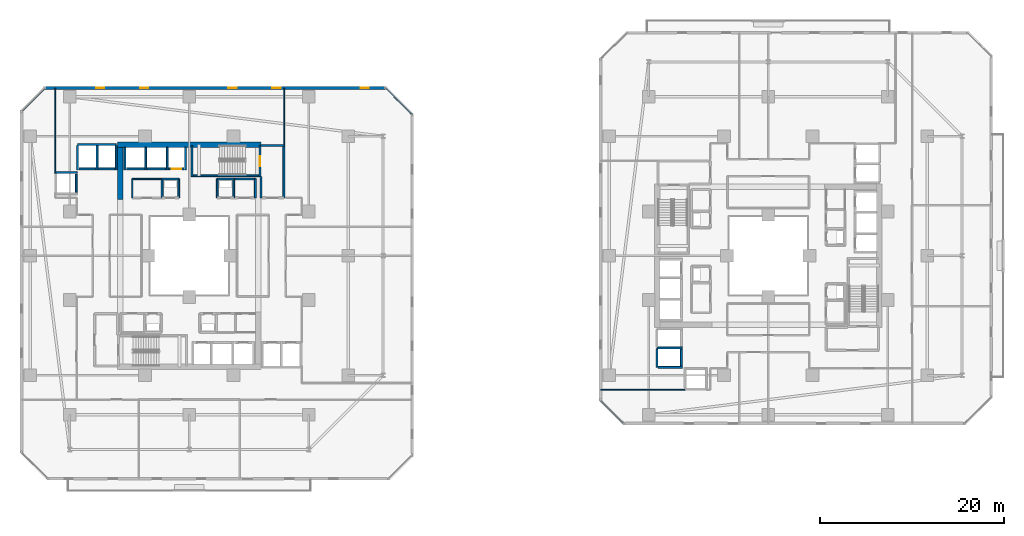
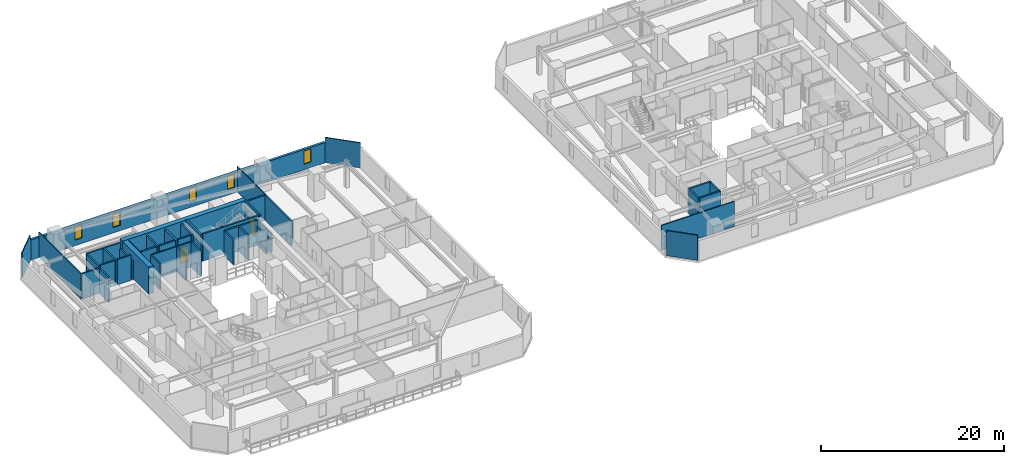
# One storey, part 24 of 35: 44 walls, 5 windows, 2 doors, 7 openings.
"""IFC4 building model written with IfcOpenShell, lengths in metres."""

from ifc_helpers import new_model, si_unit, direction, frame, frame_2d, origin, place, context, subcontext, project, spatial, rectangle, extrude, material, layer, layer_set, type_object, element, fill, save


model = new_model("IFC4")

# Units and contexts
model_context = context("Model", 3, precision=1e-05, world=origin(), true_north=direction((0.0, 1.0)))
body_context = subcontext(model_context, "Body", "Model", "MODEL_VIEW")
ifc_project = project(units=[si_unit("LENGTHUNIT", "METRE"), si_unit("AREAUNIT", "SQUARE_METRE"), si_unit("VOLUMEUNIT", "CUBIC_METRE"), si_unit("PLANEANGLEUNIT", "RADIAN"), si_unit("MASSUNIT", "GRAM", prefix="KILO")], contexts=[model_context])

# Site, building, storey
site_placement = place(None, origin())
site = spatial("IfcSite", under=ifc_project, at=site_placement, CompositionType="ELEMENT")
building_placement = place(site_placement, origin())
building = spatial("IfcBuilding", under=site, at=building_placement, Name="Thornwick Lancets Civic Towers", CompositionType="ELEMENT")
storey_placement = place(building_placement, frame((0.0, 0.0, 64.5)))
storey = spatial("IfcBuildingStorey", under=building, at=storey_placement, Name="L16", CompositionType="ELEMENT", Elevation=64.5)

# Wall, opening, door
ifc_material_1 = material(Name="Concrete blockwork C40/50", Category="masonry")
ifc_layer_1 = layer(ifc_material_1, 0.199951171875, Name="Concrete blockwork C40/50")
ifc_layer_set_1 = layer_set([ifc_layer_1], Name="Concrete blockwork C40/50")
wall_type_1 = type_object("IfcWallType", Name="WALL_COMP_200", PredefinedType="STANDARD", material=ifc_layer_set_1)
wall_1_placement = place(storey_placement, frame((24.919921875, 36.449951171875, 0.0), z_axis=(0.0, 0.0, 1.0), x_axis=(-1.0, 0.0, 0.0)))
wall_1 = element("IfcWall", 1, at=wall_1_placement, inside=storey, type_object=wall_type_1, Name="L16 Hoistway Front Wall FL-A2", PredefinedType="STANDARD", context=body_context, shape_type="SweptSolid", body=[
    extrude(rectangle(XDim=1.639892578125, YDim=0.199951171875, at=frame_2d((0.81982421875, 0.0))), origin(), (0.0, 0.0, 1.0), 3.340087890625),
])
opening_1_placement = place(wall_1_placement, frame((0.31005859375, 0.0, 0.0)))
opening_1 = element("IfcOpeningElement", 2, at=opening_1_placement, cuts=wall_1, Name="Opening LD-FL-A2", PredefinedType="OPENING", context=body_context, shape_type="SweptSolid", body=[
    extrude(rectangle(XDim=1.02001953125, YDim=2.06005859375, at=frame_2d((0.510009765625, 1.030029296875))), frame((0.0, 0.10986328125, 0.0), z_axis=(0.0, -1.0, 0.0), x_axis=(1.0, 0.0, 0.0)), (0.0, 0.0, 1.0), 0.219970703125),
])
ifc_material_2 = material(Name="Brushed bronze stainless steel", Category="steel")
door_type_1 = type_object("IfcDoorType", Name="DOOR_LIFT_SLIDE", OperationType="SLIDING_TO_LEFT", PredefinedType="DOOR", material=ifc_material_2)
door_1_placement = place(opening_1_placement, origin())
door_1 = element("IfcDoor", 3, at=door_1_placement, inside=storey, type_object=door_type_1, Name="L16 Sliding Lift Landing Door LD-FL-A2", OperationType="SLIDING_TO_LEFT", OverallHeight=2.06005859375, OverallWidth=1.02001953125, PredefinedType="DOOR", context=body_context, shape_type="SweptSolid", body=[
    extrude(rectangle(XDim=1.02001953125, YDim=2.06005859375, at=frame_2d((0.510009765625, 1.030029296875))), frame((0.0, 0.02490234375, 0.0), z_axis=(0.0, -1.0, 0.0), x_axis=(1.0, 0.0, 0.0)), (0.0, 0.0, 1.0), 0.050048828125),
])
fill(opening_1, door_1)

# Walls
wall_2_placement = place(storey_placement, frame((22.919921875, 36.449951171875, 0.0), z_axis=(0.0, 0.0, 1.0), x_axis=(-1.0, 0.0, 0.0)))
element("IfcWall", 4, at=wall_2_placement, inside=storey, type_object=wall_type_1, Name="L16 Hoistway Front Wall PL-AH2", PredefinedType="STANDARD", context=body_context, shape_type="SweptSolid", body=[
    extrude(rectangle(XDim=1.989990234375, YDim=0.199951171875, at=frame_2d((0.9951171875, 0.0))), origin(), (0.0, 0.0, 1.0), 3.340087890625),
])
wall_3_placement = place(storey_placement, frame((20.6201171875, 36.449951171875, 0.0), z_axis=(0.0, 0.0, 1.0), x_axis=(-1.0, 0.0, 0.0)))
element("IfcWall", 5, at=wall_3_placement, inside=storey, type_object=wall_type_1, Name="L16 Hoistway Front Wall PL-AH3", PredefinedType="STANDARD", context=body_context, shape_type="SweptSolid", body=[
    extrude(rectangle(XDim=1.940185546875, YDim=0.199951171875, at=frame_2d((0.97021484375, 0.0))), origin(), (0.0, 0.0, 1.0), 3.340087890625),
])
wall_4_placement = place(storey_placement, frame((17.3701171875, 36.449951171875, 0.0), z_axis=(0.0, 0.0, 1.0), x_axis=(-1.0, 0.0, 0.0)))
element("IfcWall", 6, at=wall_4_placement, inside=storey, type_object=wall_type_1, Name="L16 Hoistway Front Wall PL-AM1", PredefinedType="STANDARD", context=body_context, shape_type="SweptSolid", body=[
    extrude(rectangle(XDim=1.740234375, YDim=0.199951171875, at=frame_2d((0.8701171875, 0.0))), origin(), (0.0, 0.0, 1.0), 3.340087890625),
])
for number, where, z_axis, x_axis, name in (
    (7, (15.320068359375, 36.449951171875, 0.0), (0.0, 0.0, 1.0), (-1.0, 0.0, 0.0), "L16 Hoistway Front Wall PL-AM2"),
    (8, (79.050048828125, 15.030029296875, 0.0), (0.0, 0.0, 1.0), (0.0, 1.0, 0.0), "L16 Hoistway Front Wall PL-BM2"),
):
    element("IfcWall", number, at=place(storey_placement, frame(where, z_axis=z_axis, x_axis=x_axis)), inside=storey, type_object=wall_type_1, Name=name, PredefinedType="STANDARD", context=body_context, shape_type="SweptSolid", body=[
        extrude(rectangle(XDim=1.7900390625, YDim=0.199951171875, at=frame_2d((0.89501953125, 0.0))), origin(), (0.0, 0.0, 1.0), 3.340087890625),
    ])
wall_5_placement = place(storey_placement, frame((13.199951171875, 33.929931640625, 0.0), z_axis=(0.0, 0.0, 1.0), x_axis=(0.0, 1.0, 0.0)))
element("IfcWall", 9, at=wall_5_placement, inside=storey, type_object=wall_type_1, Name="L16 Hoistway Front Wall PL-AM3", PredefinedType="STANDARD", context=body_context, shape_type="SweptSolid", body=[
    extrude(rectangle(XDim=1.940185546875, YDim=0.199951171875, at=frame_2d((0.97021484375, 0.0))), origin(), (0.0, 0.0, 1.0), 3.340087890625),
])
for number, where, z_axis, x_axis, name in (
    (10, (25.10009765625, 36.35205078125, 0.0), (0.0, 0.0, 1.0), (0.0, 1.0, 0.0), "L16 Hoistway Shaft Wall FL-A2 E"),
    (11, (23.10009765625, 36.35205078125, 0.0), (0.0, 0.0, 1.0), (0.0, 1.0, 0.0), "L16 Hoistway Shaft Wall FL-A2 W"),
    (12, (20.77490234375, 36.35205078125, 0.0), (0.0, 0.0, 1.0), (0.0, 1.0, 0.0), "L16 Hoistway Shaft Wall PL-AH2 W"),
    (13, (18.5, 36.35205078125, 0.0), (0.0, 0.0, 1.0), (0.0, 1.0, 0.0), "L16 Hoistway Shaft Wall PL-AH3 W"),
):
    element("IfcWall", number, at=place(storey_placement, frame(where, z_axis=z_axis, x_axis=x_axis)), inside=storey, type_object=wall_type_1, Name=name, PredefinedType="STANDARD", context=body_context, shape_type="SweptSolid", body=[
        extrude(rectangle(XDim=2.43603515625, YDim=0.199951171875, at=frame_2d((1.218017578125, 0.0))), origin(), (0.0, 0.0, 1.0), 3.340087890625),
    ])
wall_6_placement = place(storey_placement, frame((13.35205078125, 39.10009765625, 0.0), z_axis=(0.0, 0.0, 1.0), x_axis=(1.0, 0.0, 0.0)))
element("IfcWall", 14, at=wall_6_placement, inside=storey, type_object=wall_type_1, Name="L16 Hoistway Shaft Wall PL-AM1 N", PredefinedType="STANDARD", context=body_context, shape_type="SweptSolid", body=[
    extrude(rectangle(XDim=4.196044921875, YDim=0.199951171875, at=frame_2d((2.09814453125, 0.0))), origin(), (0.0, 0.0, 1.0), 3.340087890625),
])
wall_7_placement = place(storey_placement, frame((17.550048828125, 36.35205078125, 0.0), z_axis=(0.0, 0.0, 1.0), x_axis=(0.0, 1.0, 0.0)))
element("IfcWall", 15, at=wall_7_placement, inside=storey, type_object=wall_type_1, Name="L16 Hoistway Shaft Wall PL-AM1 E", PredefinedType="STANDARD", context=body_context, shape_type="SweptSolid", body=[
    extrude(rectangle(XDim=2.635986328125, YDim=0.199951171875, at=frame_2d((1.31787109375, 0.0))), origin(), (0.0, 0.0, 1.0), 2.544921875),
])
wall_8_placement = place(storey_placement, frame((15.47509765625, 36.35205078125, 0.0), z_axis=(0.0, 0.0, 1.0), x_axis=(0.0, 1.0, 0.0)))
element("IfcWall", 16, at=wall_8_placement, inside=storey, type_object=wall_type_1, Name="L16 Hoistway Shaft Wall PL-AM1 W", PredefinedType="STANDARD", context=body_context, shape_type="SweptSolid", body=[
    extrude(rectangle(XDim=2.635986328125, YDim=0.199951171875, at=frame_2d((1.31787109375, 0.0))), origin(), (0.0, 0.0, 1.0), 3.340087890625),
])
wall_9_placement = place(storey_placement, frame((76.402099609375, 16.97509765625, 0.0), z_axis=(0.0, 0.0, 1.0), x_axis=(1.0, 0.0, 0.0)))
element("IfcWall", 17, at=wall_9_placement, inside=storey, type_object=wall_type_1, Name="L16 Hoistway Shaft Wall PL-BM1 S", PredefinedType="STANDARD", context=body_context, shape_type="SweptSolid", body=[
    extrude(rectangle(XDim=2.745849609375, YDim=0.199951171875, at=frame_2d((1.373046875, 0.0))), origin(), (0.0, 0.0, 1.0), 3.340087890625),
])
wall_10_placement = place(storey_placement, frame((76.39990234375, 14.85205078125, 0.0), z_axis=(0.0, 0.0, 1.0), x_axis=(0.0, 1.0, 0.0)))
element("IfcWall", 18, at=wall_10_placement, inside=storey, type_object=wall_type_1, Name="L16 Hoistway Shaft Wall PL-BM1 W", PredefinedType="STANDARD", context=body_context, shape_type="SweptSolid", body=[
    extrude(rectangle(XDim=2.015869140625, YDim=0.199951171875, at=frame_2d((1.0078125, 0.0))), origin(), (0.0, 0.0, 1.0), 3.340087890625),
])
for number, where, z_axis, x_axis, name in (
    (19, (13.35009765625, 36.35205078125, 0.0), (0.0, 0.0, 1.0), (0.0, 1.0, 0.0), "L16 Hoistway Shaft Wall PL-AM2 W"),
    (20, (76.511962890625, 14.85009765625, 0.0), (0.0, 0.0, 1.0), (1.0, 0.0, 0.0), "L16 Hoistway Shaft Wall PL-BM2 S"),
):
    element("IfcWall", number, at=place(storey_placement, frame(where, z_axis=z_axis, x_axis=x_axis)), inside=storey, type_object=wall_type_1, Name=name, PredefinedType="STANDARD", context=body_context, shape_type="SweptSolid", body=[
        extrude(rectangle(XDim=2.635986328125, YDim=0.199951171875, at=frame_2d((1.31787109375, 0.0))), origin(), (0.0, 0.0, 1.0), 3.340087890625),
    ])
wall_11_placement = place(storey_placement, frame((11.001953125, 36.050048828125, 0.0), z_axis=(0.0, 0.0, 1.0), x_axis=(1.0, 0.0, 0.0)))
element("IfcWall", 21, at=wall_11_placement, inside=storey, type_object=wall_type_1, Name="L16 Hoistway Shaft Wall PL-AM3 N", PredefinedType="STANDARD", context=body_context, shape_type="SweptSolid", body=[
    extrude(rectangle(XDim=2.296142578125, YDim=0.199951171875, at=frame_2d((1.14794921875, 0.0))), origin(), (0.0, 0.0, 1.0), 3.340087890625),
])
wall_12_placement = place(storey_placement, frame((35.800048828125, 33.300048828125, 0.0), z_axis=(0.0, 0.0, 1.0), x_axis=(0.0, 1.0, 0.0)))
element("IfcWall", 22, at=wall_12_placement, inside=storey, type_object=wall_type_1, Name="L16 Partition L16-A-FFLOB2 E2", PredefinedType="STANDARD", context=body_context, shape_type="SweptSolid", body=[
    extrude(rectangle(XDim=5.699951171875, YDim=0.199951171875, at=frame_2d((2.85009765625, 0.0))), origin(), (0.0, 0.0, 1.0), 3.340087890625),
])
wall_13_placement = place(storey_placement, frame((35.800048828125, 39.0, 0.0), z_axis=(0.0, 0.0, 1.0), x_axis=(-1.0, 0.0, 0.0)))
element("IfcWall", 23, at=wall_13_placement, inside=storey, type_object=wall_type_1, Name="L16 Partition L16-A-FFLOB2 E3", PredefinedType="STANDARD", context=body_context, shape_type="SweptSolid", body=[
    extrude(rectangle(XDim=2.5, YDim=0.199951171875, at=frame_2d((1.25, 0.0))), origin(), (0.0, 0.0, 1.0), 3.340087890625),
])
wall_14_placement = place(storey_placement, frame((33.300048828125, 35.60009765625, 0.0), z_axis=(0.0, 0.0, 1.0), x_axis=(0.0, -1.0, 0.0)))
element("IfcWall", 24, at=wall_14_placement, inside=storey, type_object=wall_type_1, Name="L16 Partition L16-A-FFLOB2 E4", PredefinedType="STANDARD", context=body_context, shape_type="SweptSolid", body=[
    extrude(rectangle(XDim=2.300048828125, YDim=0.199951171875, at=frame_2d((1.14990234375, 0.0))), origin(), (0.0, 0.0, 1.0), 2.544921875),
])
wall_15_placement = place(storey_placement, frame((24.35009765625, 33.300048828125, 0.0), z_axis=(0.0, 0.0, 1.0), x_axis=(0.0, 1.0, 0.0)))
element("IfcWall", 25, at=wall_15_placement, inside=storey, type_object=wall_type_1, Name="L16 Partition L16-A-DUCT2 E2", PredefinedType="STANDARD", context=body_context, shape_type="SweptSolid", body=[
    extrude(rectangle(XDim=2.050048828125, YDim=0.199951171875, at=frame_2d((1.02490234375, 0.0))), origin(), (0.0, 0.0, 1.0), 3.340087890625),
])
wall_16_placement = place(storey_placement, frame((24.35009765625, 35.35009765625, 0.0), z_axis=(0.0, 0.0, 1.0), x_axis=(-1.0, 0.0, 0.0)))
element("IfcWall", 26, at=wall_16_placement, inside=storey, type_object=wall_type_1, Name="L16 Partition L16-A-DUCT2 E3", PredefinedType="STANDARD", context=body_context, shape_type="SweptSolid", body=[
    extrude(rectangle(XDim=1.800048828125, YDim=0.199951171875, at=frame_2d((0.89990234375, 0.0))), origin(), (0.0, 0.0, 1.0), 3.340087890625),
])
for number, where, z_axis, x_axis, name in (
    (27, (22.550048828125, 35.35009765625, 0.0), (0.0, 0.0, 1.0), (0.0, -1.0, 0.0), "L16 Partition L16-A-DUCT2 E4"),
    (28, (30.35009765625, 33.300048828125, 0.0), (0.0, 0.0, 1.0), (0.0, 1.0, 0.0), "L16 Partition L16-A-RISER2 E2"),
):
    element("IfcWall", number, at=place(storey_placement, frame(where, z_axis=z_axis, x_axis=x_axis)), inside=storey, type_object=wall_type_1, Name=name, PredefinedType="STANDARD", context=body_context, shape_type="SweptSolid", body=[
        extrude(rectangle(XDim=2.050048828125, YDim=0.199951171875, at=frame_2d((1.02490234375, 0.0))), origin(), (0.0, 0.0, 1.0), 3.340087890625),
    ])
wall_17_placement = place(storey_placement, frame((30.35009765625, 35.35009765625, 0.0), z_axis=(0.0, 0.0, 1.0), x_axis=(-1.0, 0.0, 0.0)))
element("IfcWall", 29, at=wall_17_placement, inside=storey, type_object=wall_type_1, Name="L16 Partition L16-A-RISER2 E3", PredefinedType="STANDARD", context=body_context, shape_type="SweptSolid", body=[
    extrude(rectangle(XDim=1.800048828125, YDim=0.199951171875, at=frame_2d((0.89990234375, 0.0))), origin(), (0.0, 0.0, 1.0), 3.340087890625),
])
wall_18_placement = place(storey_placement, frame((28.550048828125, 35.35009765625, 0.0), z_axis=(0.0, 0.0, 1.0), x_axis=(0.0, -1.0, 0.0)))
element("IfcWall", 30, at=wall_18_placement, inside=storey, type_object=wall_type_1, Name="L16 Partition L16-A-RISER2 E4", PredefinedType="STANDARD", context=body_context, shape_type="SweptSolid", body=[
    extrude(rectangle(XDim=2.050048828125, YDim=0.199951171875, at=frame_2d((1.02490234375, 0.0))), origin(), (0.0, 0.0, 1.0), 3.340087890625),
])
wall_19_placement = place(storey_placement, frame((32.699951171875, 35.35009765625, 0.0), z_axis=(0.0, 0.0, 1.0), x_axis=(0.0, -1.0, 0.0)))
element("IfcWall", 31, at=wall_19_placement, inside=storey, type_object=wall_type_1, Name="L16 Partition L16-A-STR E1", PredefinedType="STANDARD", context=body_context, shape_type="SweptSolid", body=[
    extrude(rectangle(XDim=2.050048828125, YDim=0.199951171875, at=frame_2d((1.02490234375, 0.0))), origin(), (0.0, 0.0, 1.0), 2.544921875),
])
wall_20_placement = place(storey_placement, frame((30.35009765625, 35.35009765625, 0.0), z_axis=(0.0, 0.0, 1.0), x_axis=(1.0, 0.0, 0.0)))
element("IfcWall", 32, at=wall_20_placement, inside=storey, type_object=wall_type_1, Name="L16 Partition L16-A-STR E4", PredefinedType="STANDARD", context=body_context, shape_type="SweptSolid", body=[
    extrude(rectangle(XDim=2.349853515625, YDim=0.199951171875, at=frame_2d((1.1748046875, 0.0))), origin(), (0.0, 0.0, 1.0), 3.340087890625),
])
ifc_material_3 = material(Name="Concrete C60/75", Category="concrete")
ifc_layer_2 = layer(ifc_material_3, 0.60009765625, Name="Concrete C60/75")
ifc_layer_set_2 = layer_set([ifc_layer_2], Name="Concrete C60/75")
wall_type_2 = type_object("IfcWallType", Name="WALL_CORE_600", PredefinedType="SHEAR", material=ifc_layer_set_2)
wall_21_placement = place(storey_placement, frame((17.699951171875, 39.10009765625, 0.0), z_axis=(0.0, 0.0, 1.0), x_axis=(1.0, 0.0, 0.0)))
element("IfcWall", 33, at=wall_21_placement, inside=storey, type_object=wall_type_2, Name="L16 Split Core A2 Shear Wall N", PredefinedType="SHEAR", context=body_context, shape_type="SweptSolid", body=[
    extrude(rectangle(XDim=15.60009765625, YDim=0.60009765625, at=frame_2d((7.800048828125, 0.0))), origin(), (0.0, 0.0, 1.0), 3.60009765625),
])
wall_22_placement = place(storey_placement, frame((18.0, 33.10009765625, 0.0), z_axis=(0.0, 0.0, 1.0), x_axis=(0.0, 1.0, 0.0)))
element("IfcWall", 34, at=wall_22_placement, inside=storey, type_object=wall_type_2, Name="L16 Split Core A2 Shear Wall W", PredefinedType="SHEAR", context=body_context, shape_type="SweptSolid", body=[
    extrude(rectangle(XDim=5.699951171875, YDim=0.60009765625, at=frame_2d((2.85009765625, 0.0))), origin(), (0.0, 0.0, 1.0), 3.60009765625),
])

# Wall, openings, windows
ifc_material_4 = material(Name="Insulated russet terracotta rainscreen on concrete C40/50", Category="masonry")
ifc_layer_3 = layer(ifc_material_4, 0.300048828125, Name="Insulated russet terracotta rainscreen on concrete C40/50")
ifc_layer_set_3 = layer_set([ifc_layer_3], Name="Insulated russet terracotta rainscreen on concrete C40/50")
wall_type_3 = type_object("IfcWallType", Name="WALL_EXT_RUSSET_300", PredefinedType="STANDARD", material=ifc_layer_set_3)
wall_23_placement = place(storey_placement, frame((46.85546875, 45.263671875, 0.0), z_axis=(0.0, 0.0, 1.0), x_axis=(-0.999999999457, 3.2959355e-05, 0.0)))
wall_23 = element("IfcWall", 35, at=wall_23_placement, inside=storey, type_object=wall_type_3, Name="L16 Tower A Terracotta Facade Wall E4", PredefinedType="STANDARD", context=body_context, shape_type="SweptSolid", body=[
    extrude(rectangle(XDim=37.03662109375, YDim=0.300048828125, at=frame_2d((18.518310546875, 0.0))), origin(), (0.0, 0.0, 1.0), 2.699951171875),
])
opening_2_placement = place(wall_23_placement, frame((1.800048828125, 0.0, 0.719970703125)))
opening_2 = element("IfcOpeningElement", 36, at=opening_2_placement, cuts=wall_23, Name="Opening WL-01", PredefinedType="OPENING", context=body_context, shape_type="SweptSolid", body=[
    extrude(rectangle(XDim=0.89990234375, YDim=1.75, at=frame_2d((0.449951171875, 0.875))), frame((0.0, 0.16015625, 0.0), z_axis=(0.0, -1.0, 0.0), x_axis=(1.0, 0.0, 0.0)), (0.0, 0.0, 1.0), 0.320068359375),
])
opening_3_placement = place(wall_23_placement, frame((11.39990234375, 0.0, 0.719970703125)))
opening_3 = element("IfcOpeningElement", 37, at=opening_3_placement, cuts=wall_23, Name="Opening WL-01", PredefinedType="OPENING", context=body_context, shape_type="SweptSolid", body=[
    extrude(rectangle(XDim=0.89990234375, YDim=1.75, at=frame_2d((0.449951171875, 0.875))), frame((0.0, 0.16015625, 0.0), z_axis=(0.0, -1.0, 0.0), x_axis=(1.0, 0.0, 0.0)), (0.0, 0.0, 1.0), 0.320068359375),
])
opening_4_placement = place(wall_23_placement, frame((16.199951171875, 0.0, 0.719970703125)))
opening_4 = element("IfcOpeningElement", 38, at=opening_4_placement, cuts=wall_23, Name="Opening WL-01", PredefinedType="OPENING", context=body_context, shape_type="SweptSolid", body=[
    extrude(rectangle(XDim=0.89990234375, YDim=1.75, at=frame_2d((0.449951171875, 0.875))), frame((0.0, 0.16015625, 0.0), z_axis=(0.0, -1.0, 0.0), x_axis=(1.0, 0.0, 0.0)), (0.0, 0.0, 1.0), 0.320068359375),
])
opening_5_placement = place(wall_23_placement, frame((25.800048828125, 0.0, 0.719970703125)))
opening_5 = element("IfcOpeningElement", 39, at=opening_5_placement, cuts=wall_23, Name="Opening WL-01", PredefinedType="OPENING", context=body_context, shape_type="SweptSolid", body=[
    extrude(rectangle(XDim=0.89990234375, YDim=1.75, at=frame_2d((0.449951171875, 0.875))), frame((0.0, 0.16015625, 0.0), z_axis=(0.0, -1.0, 0.0), x_axis=(1.0, 0.0, 0.0)), (0.0, 0.0, 1.0), 0.320068359375),
])
opening_6_placement = place(wall_23_placement, frame((30.60009765625, 0.0, 0.719970703125)))
opening_6 = element("IfcOpeningElement", 40, at=opening_6_placement, cuts=wall_23, Name="Opening WL-01", PredefinedType="OPENING", context=body_context, shape_type="SweptSolid", body=[
    extrude(rectangle(XDim=0.89990234375, YDim=1.75, at=frame_2d((0.449951171875, 0.875))), frame((0.0, 0.16015625, 0.0), z_axis=(0.0, -1.0, 0.0), x_axis=(1.0, 0.0, 0.0)), (0.0, 0.0, 1.0), 0.320068359375),
])
ifc_material_5 = material(Name="Clear low-e double glazing in bronze frame", Category="glass")
window_type = type_object("IfcWindowType", Name="WIN_LANCET_900", PartitioningType="SINGLE_PANEL", PredefinedType="WINDOW", material=ifc_material_5)
window_1_placement = place(opening_2_placement, origin())
window_1 = element("IfcWindow", 41, at=window_1_placement, inside=storey, type_object=window_type, Name="L16 Tower A Staggered Lancet Window E4-1", OverallHeight=1.75, OverallWidth=0.89990234375, PartitioningType="SINGLE_PANEL", PredefinedType="WINDOW", context=body_context, shape_type="SweptSolid", body=[
    extrude(rectangle(XDim=0.89990234375, YDim=1.75, at=frame_2d((0.449951171875, 0.875))), frame((0.0, 0.030029296875, 0.0), z_axis=(0.0, -1.0, 0.0), x_axis=(1.0, 0.0, 0.0)), (0.0, 0.0, 1.0), 0.06005859375),
])
fill(opening_2, window_1)
window_2_placement = place(opening_3_placement, origin())
window_2 = element("IfcWindow", 42, at=window_2_placement, inside=storey, type_object=window_type, Name="L16 Tower A Staggered Lancet Window E4-2", OverallHeight=1.75, OverallWidth=0.89990234375, PartitioningType="SINGLE_PANEL", PredefinedType="WINDOW", context=body_context, shape_type="SweptSolid", body=[
    extrude(rectangle(XDim=0.89990234375, YDim=1.75, at=frame_2d((0.449951171875, 0.875))), frame((0.0, 0.030029296875, 0.0), z_axis=(0.0, -1.0, 0.0), x_axis=(1.0, 0.0, 0.0)), (0.0, 0.0, 1.0), 0.06005859375),
])
fill(opening_3, window_2)
window_3_placement = place(opening_4_placement, origin())
window_3 = element("IfcWindow", 43, at=window_3_placement, inside=storey, type_object=window_type, Name="L16 Tower A Staggered Lancet Window E4-3", OverallHeight=1.75, OverallWidth=0.89990234375, PartitioningType="SINGLE_PANEL", PredefinedType="WINDOW", context=body_context, shape_type="SweptSolid", body=[
    extrude(rectangle(XDim=0.89990234375, YDim=1.75, at=frame_2d((0.449951171875, 0.875))), frame((0.0, 0.030029296875, 0.0), z_axis=(0.0, -1.0, 0.0), x_axis=(1.0, 0.0, 0.0)), (0.0, 0.0, 1.0), 0.06005859375),
])
fill(opening_4, window_3)
window_4_placement = place(opening_5_placement, origin())
window_4 = element("IfcWindow", 44, at=window_4_placement, inside=storey, type_object=window_type, Name="L16 Tower A Staggered Lancet Window E4-4", OverallHeight=1.75, OverallWidth=0.89990234375, PartitioningType="SINGLE_PANEL", PredefinedType="WINDOW", context=body_context, shape_type="SweptSolid", body=[
    extrude(rectangle(XDim=0.89990234375, YDim=1.75, at=frame_2d((0.449951171875, 0.875))), frame((0.0, 0.030029296875, 0.0), z_axis=(0.0, -1.0, 0.0), x_axis=(1.0, 0.0, 0.0)), (0.0, 0.0, 1.0), 0.06005859375),
])
fill(opening_5, window_4)
window_5_placement = place(opening_6_placement, origin())
window_5 = element("IfcWindow", 45, at=window_5_placement, inside=storey, type_object=window_type, Name="L16 Tower A Staggered Lancet Window E4-5", OverallHeight=1.75, OverallWidth=0.89990234375, PartitioningType="SINGLE_PANEL", PredefinedType="WINDOW", context=body_context, shape_type="SweptSolid", body=[
    extrude(rectangle(XDim=0.89990234375, YDim=1.75, at=frame_2d((0.449951171875, 0.875))), frame((0.0, 0.030029296875, 0.0), z_axis=(0.0, -1.0, 0.0), x_axis=(1.0, 0.0, 0.0)), (0.0, 0.0, 1.0), 0.06005859375),
])
fill(opening_6, window_5)

# Walls
ifc_material_6 = material(Name="Acoustic gypsum board partition")
ifc_layer_4 = layer(ifc_material_6, 0.1201171875, Name="Acoustic gypsum board partition")
ifc_layer_set_4 = layer_set([ifc_layer_4], Name="Acoustic gypsum board partition")
wall_type_4 = type_object("IfcWallType", Name="WALL_PART_120", PredefinedType="PARTITIONING", material=ifc_layer_set_4)
wall_24_placement = place(storey_placement, frame((7.280029296875, 42.725341796875, 0.0), z_axis=(0.0, 0.0, 1.0), x_axis=(0.707106781187, 0.707106781187, 0.0)))
element("IfcWall", 46, at=wall_24_placement, inside=storey, type_object=wall_type_4, Name="L16 Partition L16-A-W3 E7", PredefinedType="PARTITIONING", context=body_context, shape_type="SweptSolid", body=[
    extrude(rectangle(XDim=3.52783203125, YDim=0.1201171875, at=frame_2d((1.763916015625, 0.0))), origin(), (0.0, 0.0, 1.0), 3.340087890625),
])
wall_25_placement = place(storey_placement, frame((10.89990234375, 45.219970703125, 0.0), z_axis=(0.0, 0.0, 1.0), x_axis=(0.0, -1.0, 0.0)))
element("IfcWall", 47, at=wall_25_placement, inside=storey, type_object=wall_type_4, Name="L16 Partition L16-A-W3 E9", PredefinedType="PARTITIONING", context=body_context, shape_type="SweptSolid", body=[
    extrude(rectangle(XDim=9.281982421875, YDim=0.1201171875, at=frame_2d((4.64111328125, 0.0))), origin(), (0.0, 0.0, 1.0), 3.340087890625),
])
wall_26_placement = place(storey_placement, frame((35.85009765625, 39.0, 0.0), z_axis=(0.0, 0.0, 1.0), x_axis=(0.0, 1.0, 0.0)))
element("IfcWall", 48, at=wall_26_placement, inside=storey, type_object=wall_type_4, Name="L16 Partition L16-A-E3 E5", PredefinedType="PARTITIONING", context=body_context, shape_type="SweptSolid", body=[
    extrude(rectangle(XDim=6.219970703125, YDim=0.1201171875, at=frame_2d((3.10986328125, 0.0))), origin(), (0.0, 0.0, 1.0), 3.340087890625),
])
wall_27_placement = place(storey_placement, frame((46.8984375, 45.219970703125, 0.0), z_axis=(0.0, 0.0, 1.0), x_axis=(0.707106781187, -0.707106781187, 0.0)))
element("IfcWall", 49, at=wall_27_placement, inside=storey, type_object=wall_type_4, Name="L16 Partition L16-A-E3 E7", PredefinedType="PARTITIONING", context=body_context, shape_type="SweptSolid", body=[
    extrude(rectangle(XDim=3.990234375, YDim=0.1201171875, at=frame_2d((1.9951171875, 0.0))), origin(), (0.0, 0.0, 1.0), 3.340087890625),
])
wall_28_placement = place(storey_placement, frame((72.774658203125, 8.780029296875, 0.0), z_axis=(0.0, 0.0, 1.0), x_axis=(-0.707106781187, 0.707106781187, 0.0)))
element("IfcWall", 50, at=wall_28_placement, inside=storey, type_object=wall_type_4, Name="L16 Partition L16-B-W3 E7", PredefinedType="PARTITIONING", context=body_context, shape_type="SweptSolid", body=[
    extrude(rectangle(XDim=3.52783203125, YDim=0.1201171875, at=frame_2d((1.763916015625, 0.0))), origin(), (0.0, 0.0, 1.0), 3.340087890625),
])
wall_29_placement = place(storey_placement, frame((70.280029296875, 12.39990234375, 0.0), z_axis=(0.0, 0.0, 1.0), x_axis=(1.0, 0.0, 0.0)))
element("IfcWall", 51, at=wall_29_placement, inside=storey, type_object=wall_type_4, Name="L16 Partition L16-B-W3 E9", PredefinedType="PARTITIONING", context=body_context, shape_type="SweptSolid", body=[
    extrude(rectangle(XDim=9.171875, YDim=0.1201171875, at=frame_2d((4.5859375, 0.0))), origin(), (0.0, 0.0, 1.0), 3.340087890625),
])
ifc_material_7 = material(Name="Twin-stud acoustic gypsum board")
ifc_layer_5 = layer(ifc_material_7, 0.14990234375, Name="Twin-stud acoustic gypsum board")
ifc_layer_set_5 = layer_set([ifc_layer_5], Name="Twin-stud acoustic gypsum board")
wall_type_5 = type_object("IfcWallType", Name="WALL_PART_150", PredefinedType="PARTITIONING", material=ifc_layer_set_5)
wall_30_placement = place(storey_placement, frame((19.300048828125, 33.300048828125, 0.0), z_axis=(0.0, 0.0, 1.0), x_axis=(0.0, 1.0, 0.0)))
element("IfcWall", 52, at=wall_30_placement, inside=storey, type_object=wall_type_5, Name="L16 Partition L16-A-FWC E1", PredefinedType="PARTITIONING", context=body_context, shape_type="SweptSolid", body=[
    extrude(rectangle(XDim=2.050048828125, YDim=0.14990234375, at=frame_2d((1.02490234375, 0.0))), origin(), (0.0, 0.0, 1.0), 3.340087890625),
])
wall_31_placement = place(storey_placement, frame((19.300048828125, 35.35009765625, 0.0), z_axis=(0.0, 0.0, 1.0), x_axis=(1.0, 0.0, 0.0)))
element("IfcWall", 53, at=wall_31_placement, inside=storey, type_object=wall_type_5, Name="L16 Partition L16-A-FWC E2", PredefinedType="PARTITIONING", context=body_context, shape_type="SweptSolid", body=[
    extrude(rectangle(XDim=3.25, YDim=0.14990234375, at=frame_2d((1.625, 0.0))), origin(), (0.0, 0.0, 1.0), 3.340087890625),
])

# Wall, opening, door
ifc_material_8 = material(Name="Concrete C40/50", Category="concrete")
ifc_layer_6 = layer(ifc_material_8, 0.199951171875, Name="Concrete C40/50")
ifc_layer_set_6 = layer_set([ifc_layer_6], Name="Concrete C40/50")
wall_type_6 = type_object("IfcWallType", Name="WALL_SHAFT_200", PredefinedType="SHEAR", material=ifc_layer_set_6)
wall_32_placement = place(storey_placement, frame((33.199951171875, 38.949951171875, 0.0), z_axis=(0.0, 0.0, 1.0), x_axis=(0.0, -1.0, 0.0)))
wall_32 = element("IfcWall", 54, at=wall_32_placement, inside=storey, type_object=wall_type_6, Name="L16 ST-A2 Fire Stair Core Wall NEAR", PredefinedType="SHEAR", context=body_context, shape_type="SweptSolid", body=[
    extrude(rectangle(XDim=3.349853515625, YDim=0.199951171875, at=frame_2d((1.6748046875, 0.0))), origin(), (0.0, 0.0, 1.0), 3.60009765625),
])
opening_7_placement = place(wall_32_placement, frame((1.125, 0.0, 0.0)))
opening_7 = element("IfcOpeningElement", 55, at=opening_7_placement, cuts=wall_32, Name="Opening D-ST-A2-L16", PredefinedType="OPENING", context=body_context, shape_type="SweptSolid", body=[
    extrude(rectangle(XDim=1.10009765625, YDim=2.10009765625, at=frame_2d((0.550048828125, 1.050048828125))), frame((0.0, 0.10986328125, 0.0), z_axis=(0.0, -1.0, 0.0), x_axis=(1.0, 0.0, 0.0)), (0.0, 0.0, 1.0), 0.219970703125),
])
ifc_material_9 = material(Name="Fire-resisting steel and hardwood", Category="steel")
door_type_2 = type_object("IfcDoorType", Name="DOOR_STAIR_FD60", OperationType="NOTDEFINED", PredefinedType="DOOR", material=ifc_material_9)
door_2_placement = place(opening_7_placement, origin())
door_2 = element("IfcDoor", 56, at=door_2_placement, inside=storey, type_object=door_type_2, Name="L16 ST-A2 Exit Stair Door", OperationType="SINGLE_SWING_LEFT", OverallHeight=2.10009765625, OverallWidth=1.10009765625, PredefinedType="DOOR", context=body_context, shape_type="SweptSolid", body=[
    extrude(rectangle(XDim=1.10009765625, YDim=2.10009765625, at=frame_2d((0.550048828125, 1.050048828125))), frame((0.0, 0.02490234375, 0.0), z_axis=(0.0, -1.0, 0.0), x_axis=(1.0, 0.0, 0.0)), (0.0, 0.0, 1.0), 0.050048828125),
])
fill(opening_7, door_2)

# Walls
wall_33_placement = place(storey_placement, frame((25.800048828125, 35.60009765625, 0.0), z_axis=(0.0, 0.0, 1.0), x_axis=(0.0, 1.0, 0.0)))
element("IfcWall", 57, at=wall_33_placement, inside=storey, type_object=wall_type_6, Name="L16 ST-A2 Fire Stair Core Wall FAR", PredefinedType="SHEAR", context=body_context, shape_type="SweptSolid", body=[
    extrude(rectangle(XDim=3.349853515625, YDim=0.199951171875, at=frame_2d((1.6748046875, 0.0))), origin(), (0.0, 0.0, 1.0), 3.60009765625),
])
wall_34_placement = place(storey_placement, frame((25.949951171875, 35.702880859375, 0.0), z_axis=(0.0, 0.0, 1.0), x_axis=(1.0, 0.0, 0.0)))
element("IfcWall", 58, at=wall_34_placement, inside=storey, type_object=wall_type_6, Name="L16 ST-A2 Fire Stair Core Wall RIGHT", PredefinedType="SHEAR", context=body_context, shape_type="SweptSolid", body=[
    extrude(rectangle(XDim=7.10009765625, YDim=0.199951171875, at=frame_2d((3.550048828125, 0.0))), origin(), (0.0, 0.0, 1.0), 3.60009765625),
])

save(model, "model.ifc")
